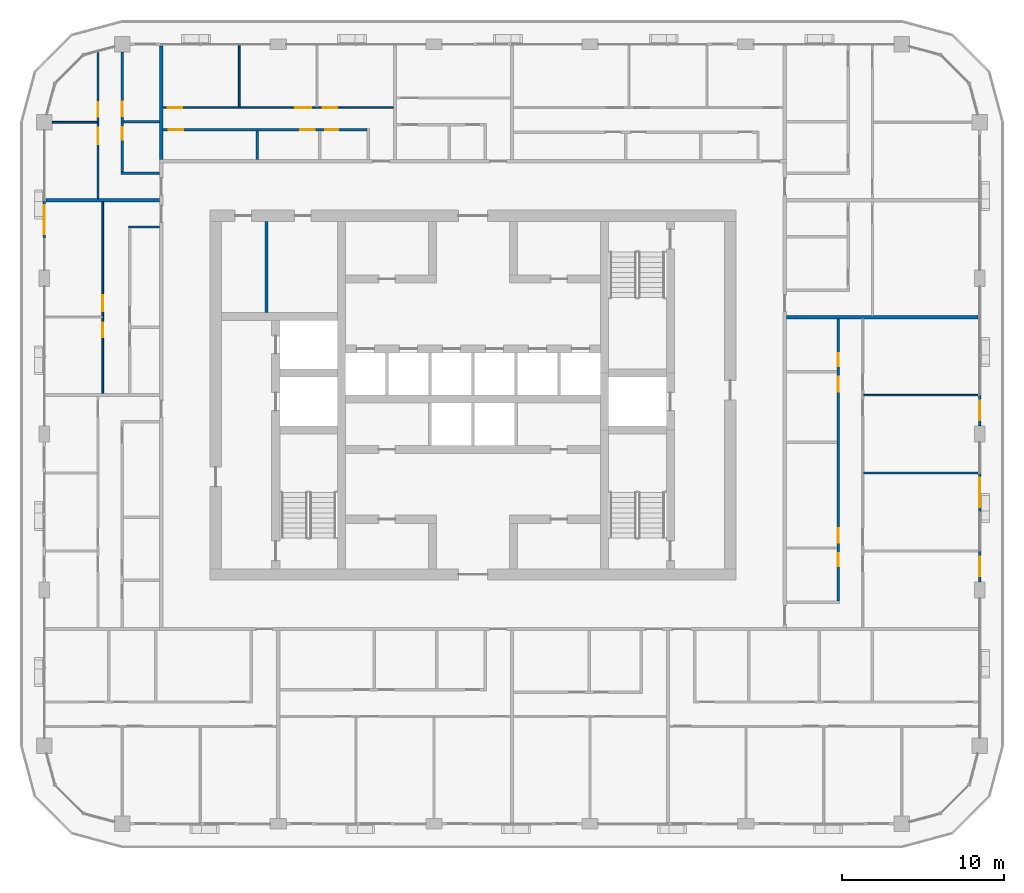
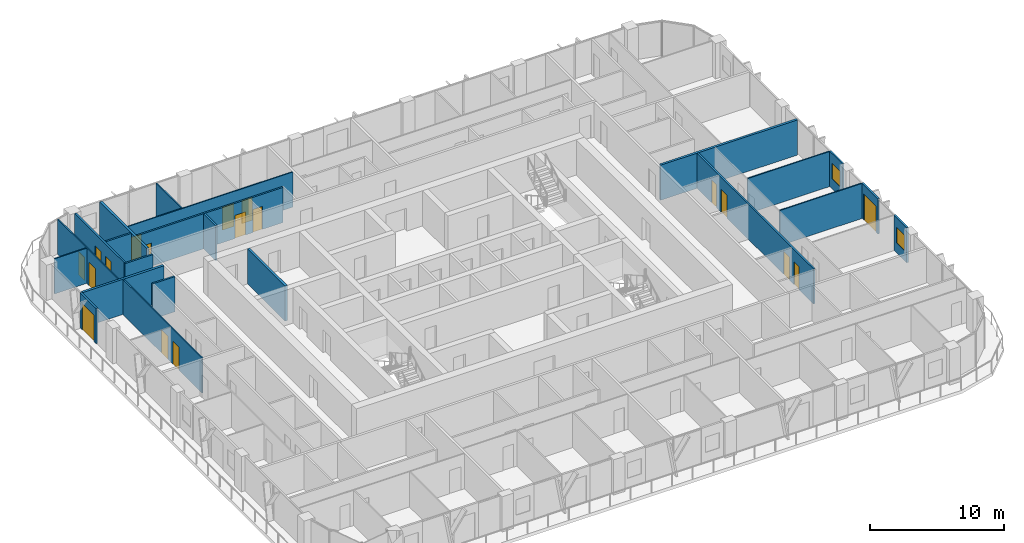
# One storey, part 13 of 21: 22 walls, 18 doors, 2 windows, 20 openings.
"""IFC4 building model written with IfcOpenShell, lengths in metres."""

from ifc_helpers import new_model, si_unit, direction, frame, frame_2d, origin, place, context, subcontext, project, spatial, rectangle, extrude, material, layer, layer_set, type_object, element, fill, save


model = new_model("IFC4")

# Units and contexts
model_context = context("Model", 3, precision=1e-05, world=origin(), true_north=direction((0.0, 1.0)))
body_context = subcontext(model_context, "Body", "Model", "MODEL_VIEW")
ifc_project = project(units=[si_unit("LENGTHUNIT", "METRE"), si_unit("AREAUNIT", "SQUARE_METRE"), si_unit("VOLUMEUNIT", "CUBIC_METRE"), si_unit("PLANEANGLEUNIT", "RADIAN"), si_unit("MASSUNIT", "GRAM", prefix="KILO")], contexts=[model_context])

# Site, building, storey
site_placement = place(None, origin())
site = spatial("IfcSite", under=ifc_project, at=site_placement, CompositionType="ELEMENT")
building_placement = place(site_placement, origin())
building = spatial("IfcBuilding", under=site, at=building_placement, Name="Madar Terraces", CompositionType="ELEMENT")
storey_placement = place(building_placement, frame((0.0, 0.0, 185.89990234375)))
storey = spatial("IfcBuildingStorey", under=building, at=storey_placement, Name="L48", CompositionType="ELEMENT", Elevation=185.89990234375)

# Wall
ifc_material_1 = material(Name="Masonry blockwork", Category="masonry")
ifc_layer_1 = layer(ifc_material_1, 0.199951171875)
ifc_layer_set_1 = layer_set([ifc_layer_1], Name="Core partition 200 blockwork")
wall_type_1 = type_object("IfcWallType", Name="Core partition 200 blockwork", PredefinedType="PARTITIONING", material=ifc_layer_set_1)
wall_1_placement = place(storey_placement, frame((18.488525390625, 31.5, 0.0), z_axis=(0.0, 0.0, 1.0), x_axis=(0.0, 1.0, 0.0)))
element("IfcWall", 1, at=wall_1_placement, inside=storey, type_object=wall_type_1, Name="SERVICE ROOM PARTITION", PredefinedType="PARTITIONING", context=body_context, shape_type="SweptSolid", body=[
    extrude(rectangle(XDim=5.60009765625, YDim=0.199951171875, at=frame_2d((2.800048828125, 0.0))), origin(), (0.0, 0.0, 1.0), 3.2001953125),
])

# Wall, opening, window
ifc_material_2 = material(Name="Aluminium composite panel, black, over insulated backing", Category="aluminium")
ifc_layer_2 = layer(ifc_material_2, 0.14990234375)
ifc_layer_set_2 = layer_set([ifc_layer_2], Name="Facade bay panel 150")
wall_type_2 = type_object("IfcWallType", Name="Facade bay panel 150", PredefinedType="SOLIDWALL", material=ifc_layer_set_2)
wall_2_placement = place(storey_placement, frame((62.39990234375, 14.89990234375, 0.0), z_axis=(0.0, 0.0, 1.0), x_axis=(0.0, 1.0, 0.0)))
wall_2 = element("IfcWall", 2, at=wall_2_placement, inside=storey, type_object=wall_type_2, Name="Facade bay panel", PredefinedType="SOLIDWALL", context=body_context, shape_type="SweptSolid", body=[
    extrude(rectangle(XDim=1.900146484375, YDim=0.14990234375, at=frame_2d((0.9501953125, 0.0))), origin(), (0.0, 0.0, 1.0), 3.2001953125),
])
opening_1_placement = place(wall_2_placement, frame((0.35009765625, 0.0, 0.89990234375)))
opening_1 = element("IfcOpeningElement", 3, at=opening_1_placement, cuts=wall_2, Name="Opening W1", PredefinedType="OPENING", context=body_context, shape_type="SweptSolid", body=[
    extrude(rectangle(XDim=1.199951171875, YDim=1.39990234375, at=frame_2d((0.60009765625, 0.699951171875))), frame((0.0, 0.0849609375, 0.0), z_axis=(0.0, -1.0, 0.0), x_axis=(1.0, 0.0, 0.0)), (0.0, 0.0, 1.0), 0.169921875),
])
ifc_material_3 = material(Name="Glass, clear, with black aluminium frame", Category="aluminium")
window_type = type_object("IfcWindowType", Name="Vent window 1200 x 1400", PartitioningType="SINGLE_PANEL", PredefinedType="WINDOW", material=ifc_material_3)
window_1_placement = place(opening_1_placement, origin())
window_1 = element("IfcWindow", 4, at=window_1_placement, inside=storey, type_object=window_type, Name="Operable vent window", OverallHeight=1.39990234375, OverallWidth=1.199951171875, PartitioningType="SINGLE_PANEL", PredefinedType="WINDOW", context=body_context, shape_type="SweptSolid", body=[
    extrude(rectangle(XDim=1.199951171875, YDim=1.39990234375, at=frame_2d((0.60009765625, 0.699951171875))), frame((0.0, 0.030029296875, 0.0), z_axis=(0.0, -1.0, 0.0), x_axis=(1.0, 0.0, 0.0)), (0.0, 0.0, 1.0), 0.06005859375),
])
fill(opening_1, window_1)

# Wall, opening, door
wall_3_placement = place(storey_placement, frame((62.39990234375, 19.199951171875, 0.0), z_axis=(0.0, 0.0, 1.0), x_axis=(0.0, 1.0, 0.0)))
wall_3 = element("IfcWall", 5, at=wall_3_placement, inside=storey, type_object=wall_type_2, Name="Facade bay panel", PredefinedType="SOLIDWALL", context=body_context, shape_type="SweptSolid", body=[
    extrude(rectangle(XDim=2.400146484375, YDim=0.14990234375, at=frame_2d((1.2001953125, 0.0))), origin(), (0.0, 0.0, 1.0), 3.2001953125),
])
opening_2_placement = place(wall_3_placement, frame((0.300048828125, 0.0, 0.0)))
opening_2 = element("IfcOpeningElement", 6, at=opening_2_placement, cuts=wall_3, Name="Opening ED1", PredefinedType="OPENING", context=body_context, shape_type="SweptSolid", body=[
    extrude(rectangle(XDim=1.800048828125, YDim=2.39990234375, at=frame_2d((0.89990234375, 1.199951171875))), frame((0.0, 0.0849609375, 0.0), z_axis=(0.0, -1.0, 0.0), x_axis=(1.0, 0.0, 0.0)), (0.0, 0.0, 1.0), 0.169921875),
])
ifc_material_4 = material(Name="Glass, clear, with black aluminium frame", Category="aluminium")
door_type_1 = type_object("IfcDoorType", Name="Balcony and terrace sliding door 1800 x 2400", OperationType="SLIDING_TO_LEFT", PredefinedType="DOOR", material=ifc_material_4)
door_1_placement = place(opening_2_placement, origin())
door_1 = element("IfcDoor", 7, at=door_1_placement, inside=storey, type_object=door_type_1, Name="Balcony door", OperationType="SLIDING_TO_RIGHT", OverallHeight=2.39990234375, OverallWidth=1.800048828125, PredefinedType="DOOR", context=body_context, shape_type="SweptSolid", body=[
    extrude(rectangle(XDim=1.800048828125, YDim=2.39990234375, at=frame_2d((0.89990234375, 1.199951171875))), frame((0.0, 0.02490234375, 0.0), z_axis=(0.0, -1.0, 0.0), x_axis=(1.0, 0.0, 0.0)), (0.0, 0.0, 1.0), 0.050048828125),
])
fill(opening_2, door_1)

# Wall, opening, window
wall_4_placement = place(storey_placement, frame((62.39990234375, 24.5, 0.0), z_axis=(0.0, 0.0, 1.0), x_axis=(0.0, 1.0, 0.0)))
wall_4 = element("IfcWall", 8, at=wall_4_placement, inside=storey, type_object=wall_type_2, Name="Facade bay panel", PredefinedType="SOLIDWALL", context=body_context, shape_type="SweptSolid", body=[
    extrude(rectangle(XDim=1.89990234375, YDim=0.14990234375, at=frame_2d((0.949951171875, 0.0))), origin(), (0.0, 0.0, 1.0), 3.2001953125),
])
opening_3_placement = place(wall_4_placement, frame((0.35009765625, 0.0, 0.89990234375)))
opening_3 = element("IfcOpeningElement", 9, at=opening_3_placement, cuts=wall_4, Name="Opening W1", PredefinedType="OPENING", context=body_context, shape_type="SweptSolid", body=[
    extrude(rectangle(XDim=1.199951171875, YDim=1.39990234375, at=frame_2d((0.60009765625, 0.699951171875))), frame((0.0, 0.0849609375, 0.0), z_axis=(0.0, -1.0, 0.0), x_axis=(1.0, 0.0, 0.0)), (0.0, 0.0, 1.0), 0.169921875),
])
window_2_placement = place(opening_3_placement, origin())
window_2 = element("IfcWindow", 10, at=window_2_placement, inside=storey, type_object=window_type, Name="Operable vent window", OverallHeight=1.39990234375, OverallWidth=1.199951171875, PartitioningType="SINGLE_PANEL", PredefinedType="WINDOW", context=body_context, shape_type="SweptSolid", body=[
    extrude(rectangle(XDim=1.199951171875, YDim=1.39990234375, at=frame_2d((0.60009765625, 0.699951171875))), frame((0.0, 0.030029296875, 0.0), z_axis=(0.0, -1.0, 0.0), x_axis=(1.0, 0.0, 0.0)), (0.0, 0.0, 1.0), 0.06005859375),
])
fill(opening_3, window_2)

# Wall, opening, door
wall_5_placement = place(storey_placement, frame((4.800048828125, 38.39990234375, 0.0), z_axis=(0.0, 0.0, 1.0), x_axis=(0.0, -1.0, 0.0)))
wall_5 = element("IfcWall", 11, at=wall_5_placement, inside=storey, type_object=wall_type_2, Name="Facade bay panel", PredefinedType="SOLIDWALL", context=body_context, shape_type="SweptSolid", body=[
    extrude(rectangle(XDim=2.39990234375, YDim=0.14990234375, at=frame_2d((1.199951171875, 0.0))), origin(), (0.0, 0.0, 1.0), 3.2001953125),
])
opening_4_placement = place(wall_5_placement, frame((0.300048828125, 0.0, 0.0)))
opening_4 = element("IfcOpeningElement", 12, at=opening_4_placement, cuts=wall_5, Name="Opening ED1", PredefinedType="OPENING", context=body_context, shape_type="SweptSolid", body=[
    extrude(rectangle(XDim=1.800048828125, YDim=2.39990234375, at=frame_2d((0.89990234375, 1.199951171875))), frame((0.0, 0.0849609375, 0.0), z_axis=(0.0, -1.0, 0.0), x_axis=(1.0, 0.0, 0.0)), (0.0, 0.0, 1.0), 0.169921875),
])
door_2_placement = place(opening_4_placement, origin())
door_2 = element("IfcDoor", 13, at=door_2_placement, inside=storey, type_object=door_type_1, Name="Balcony door", OperationType="SLIDING_TO_RIGHT", OverallHeight=2.39990234375, OverallWidth=1.800048828125, PredefinedType="DOOR", context=body_context, shape_type="SweptSolid", body=[
    extrude(rectangle(XDim=1.800048828125, YDim=2.39990234375, at=frame_2d((0.89990234375, 1.199951171875))), frame((0.0, 0.02490234375, 0.0), z_axis=(0.0, -1.0, 0.0), x_axis=(1.0, 0.0, 0.0)), (0.0, 0.0, 1.0), 0.050048828125),
])
fill(opening_4, door_2)

# Walls
ifc_material_5 = material(Name="Gypsum board on steel studs", Category="steel")
ifc_layer_3 = layer(ifc_material_5, 0.10009765625)
ifc_layer_set_3 = layer_set([ifc_layer_3], Name="Flat partition 100")
wall_type_3 = type_object("IfcWallType", Name="Flat partition 100", PredefinedType="PARTITIONING", material=ifc_layer_set_3)
for number, where, z_axis, x_axis, name in (
    (14, (55.25, 21.60009765625, 0.0), (0.0, 0.0, 1.0), (1.0, 0.0, 0.0), "Flat partition 100"),
    (15, (55.25, 26.39990234375, 0.0), (0.0, 0.0, 1.0), (1.0, 0.0, 0.0), "Flat partition 100"),
):
    element("IfcWall", number, at=place(storey_placement, frame(where, z_axis=z_axis, x_axis=x_axis)), inside=storey, type_object=wall_type_3, Name=name, PredefinedType="PARTITIONING", context=body_context, shape_type="SweptSolid", body=[
        extrude(rectangle(XDim=7.050048828125, YDim=0.10009765625, at=frame_2d((3.52490234375, 0.0))), origin(), (0.0, 0.0, 1.0), 3.2001953125),
    ])
wall_6_placement = place(storey_placement, frame((16.800048828125, 44.14990234375, 0.0), z_axis=(0.0, 0.0, 1.0), x_axis=(0.0, 1.0, 0.0)))
element("IfcWall", 16, at=wall_6_placement, inside=storey, type_object=wall_type_3, Name="Flat partition 100", PredefinedType="PARTITIONING", context=body_context, shape_type="SweptSolid", body=[
    extrude(rectangle(XDim=3.75, YDim=0.10009765625, at=frame_2d((1.875, 0.0))), origin(), (0.0, 0.0, 1.0), 3.2001953125),
])

# Wall, openings, doors
wall_7_placement = place(storey_placement, frame((12.10009765625, 44.10009765625, 0.0), z_axis=(0.0, 0.0, 1.0), x_axis=(1.0, 0.0, 0.0)))
wall_7 = element("IfcWall", 17, at=wall_7_placement, inside=storey, type_object=wall_type_3, Name="Flat partition 100", PredefinedType="PARTITIONING", context=body_context, shape_type="SweptSolid", body=[
    extrude(rectangle(XDim=14.199951171875, YDim=0.10009765625, at=frame_2d((7.10009765625, 0.0))), origin(), (0.0, 0.0, 1.0), 3.2001953125),
])
opening_5_placement = place(wall_7_placement, frame((9.85009765625, 0.0, 0.0)))
opening_5 = element("IfcOpeningElement", 18, at=opening_5_placement, cuts=wall_7, Name="Opening D2", PredefinedType="OPENING", context=body_context, shape_type="SweptSolid", body=[
    extrude(rectangle(XDim=0.89990234375, YDim=2.10009765625, at=frame_2d((0.449951171875, 1.050048828125))), frame((0.0, 0.06005859375, 0.0), z_axis=(0.0, -1.0, 0.0), x_axis=(1.0, 0.0, 0.0)), (0.0, 0.0, 1.0), 0.1201171875),
])
opening_6_placement = place(wall_7_placement, frame((8.14990234375, 0.0, 0.0)))
opening_6 = element("IfcOpeningElement", 19, at=opening_6_placement, cuts=wall_7, Name="Opening D3", PredefinedType="OPENING", context=body_context, shape_type="SweptSolid", body=[
    extrude(rectangle(XDim=1.0, YDim=2.10009765625, at=frame_2d((0.5, 1.050048828125))), frame((0.0, 0.06005859375, 0.0), z_axis=(0.0, -1.0, 0.0), x_axis=(1.0, 0.0, 0.0)), (0.0, 0.0, 1.0), 0.1201171875),
])
opening_7_placement = place(wall_7_placement, frame((0.300048828125, 0.0, 0.0)))
opening_7 = element("IfcOpeningElement", 20, at=opening_7_placement, cuts=wall_7, Name="Opening D2", PredefinedType="OPENING", context=body_context, shape_type="SweptSolid", body=[
    extrude(rectangle(XDim=0.89990234375, YDim=2.10009765625, at=frame_2d((0.449951171875, 1.050048828125))), frame((0.0, 0.06005859375, 0.0), z_axis=(0.0, -1.0, 0.0), x_axis=(1.0, 0.0, 0.0)), (0.0, 0.0, 1.0), 0.1201171875),
])
ifc_material_6 = material(Name="Timber door leaf", Category="wood")
door_type_2 = type_object("IfcDoorType", Name="Flat living room door 1000", OperationType="NOTDEFINED", PredefinedType="DOOR", material=ifc_material_6)
door_3_placement = place(opening_6_placement, origin())
door_3 = element("IfcDoor", 21, at=door_3_placement, inside=storey, type_object=door_type_2, Name="Flat living room door 1000", OperationType="SINGLE_SWING_RIGHT", OverallHeight=2.10009765625, OverallWidth=1.0, PredefinedType="DOOR", context=body_context, shape_type="SweptSolid", body=[
    extrude(rectangle(XDim=1.0, YDim=2.10009765625, at=frame_2d((0.5, 1.050048828125))), frame((0.0, 0.02490234375, 0.0), z_axis=(0.0, -1.0, 0.0), x_axis=(1.0, 0.0, 0.0)), (0.0, 0.0, 1.0), 0.050048828125),
])
fill(opening_6, door_3)
ifc_material_7 = material(Name="Timber door leaf", Category="wood")
door_type_3 = type_object("IfcDoorType", Name="Flat room door 900", OperationType="NOTDEFINED", PredefinedType="DOOR", material=ifc_material_7)
door_4_placement = place(opening_5_placement, origin())
door_4 = element("IfcDoor", 22, at=door_4_placement, inside=storey, type_object=door_type_3, Name="Flat room door 900", OperationType="SINGLE_SWING_LEFT", OverallHeight=2.10009765625, OverallWidth=0.89990234375, PredefinedType="DOOR", context=body_context, shape_type="SweptSolid", body=[
    extrude(rectangle(XDim=0.89990234375, YDim=2.10009765625, at=frame_2d((0.449951171875, 1.050048828125))), frame((0.0, 0.02490234375, 0.0), z_axis=(0.0, -1.0, 0.0), x_axis=(1.0, 0.0, 0.0)), (0.0, 0.0, 1.0), 0.050048828125),
])
fill(opening_5, door_4)
door_5_placement = place(opening_7_placement, origin())
door_5 = element("IfcDoor", 23, at=door_5_placement, inside=storey, type_object=door_type_3, Name="Flat room door 900", OperationType="SINGLE_SWING_LEFT", OverallHeight=2.10009765625, OverallWidth=0.89990234375, PredefinedType="DOOR", context=body_context, shape_type="SweptSolid", body=[
    extrude(rectangle(XDim=0.89990234375, YDim=2.10009765625, at=frame_2d((0.449951171875, 1.050048828125))), frame((0.0, 0.02490234375, 0.0), z_axis=(0.0, -1.0, 0.0), x_axis=(1.0, 0.0, 0.0)), (0.0, 0.0, 1.0), 0.050048828125),
])
fill(opening_7, door_5)

# Wall
wall_8_placement = place(storey_placement, frame((8.050048828125, 43.199951171875, 0.0), z_axis=(0.0, 0.0, 1.0), x_axis=(-1.0, 0.0, 0.0)))
element("IfcWall", 24, at=wall_8_placement, inside=storey, type_object=wall_type_3, Name="Flat partition 100", PredefinedType="PARTITIONING", context=body_context, shape_type="SweptSolid", body=[
    extrude(rectangle(XDim=2.775146484375, YDim=0.10009765625, at=frame_2d((1.3876953125, 0.0))), origin(), (0.0, 0.0, 1.0), 3.2001953125),
])

# Wall, openings, doors
wall_9_placement = place(storey_placement, frame((8.10009765625, 38.5, 0.0), z_axis=(0.0, 0.0, 1.0), x_axis=(0.0, 1.0, 0.0)))
wall_9 = element("IfcWall", 25, at=wall_9_placement, inside=storey, type_object=wall_type_3, Name="Flat partition 100", PredefinedType="PARTITIONING", context=body_context, shape_type="SweptSolid", body=[
    extrude(rectangle(XDim=8.998046875, YDim=0.10009765625, at=frame_2d((4.4990234375, 0.0))), origin(), (0.0, 0.0, 1.0), 3.2001953125),
])
opening_8_placement = place(wall_9_placement, frame((3.35009765625, 0.0, 0.0)))
opening_8 = element("IfcOpeningElement", 26, at=opening_8_placement, cuts=wall_9, Name="Opening D3", PredefinedType="OPENING", context=body_context, shape_type="SweptSolid", body=[
    extrude(rectangle(XDim=1.0, YDim=2.10009765625, at=frame_2d((0.5, 1.050048828125))), frame((0.0, 0.06005859375, 0.0), z_axis=(0.0, -1.0, 0.0), x_axis=(1.0, 0.0, 0.0)), (0.0, 0.0, 1.0), 0.1201171875),
])
opening_9_placement = place(wall_9_placement, frame((5.050048828125, 0.0, 0.0)))
opening_9 = element("IfcOpeningElement", 27, at=opening_9_placement, cuts=wall_9, Name="Opening D2", PredefinedType="OPENING", context=body_context, shape_type="SweptSolid", body=[
    extrude(rectangle(XDim=0.89990234375, YDim=2.10009765625, at=frame_2d((0.449951171875, 1.050048828125))), frame((0.0, 0.06005859375, 0.0), z_axis=(0.0, -1.0, 0.0), x_axis=(1.0, 0.0, 0.0)), (0.0, 0.0, 1.0), 0.1201171875),
])
door_6_placement = place(opening_8_placement, origin())
door_6 = element("IfcDoor", 28, at=door_6_placement, inside=storey, type_object=door_type_2, Name="Flat living room door 1000", OperationType="SINGLE_SWING_RIGHT", OverallHeight=2.10009765625, OverallWidth=1.0, PredefinedType="DOOR", context=body_context, shape_type="SweptSolid", body=[
    extrude(rectangle(XDim=1.0, YDim=2.10009765625, at=frame_2d((0.5, 1.050048828125))), frame((0.0, 0.02490234375, 0.0), z_axis=(0.0, -1.0, 0.0), x_axis=(1.0, 0.0, 0.0)), (0.0, 0.0, 1.0), 0.050048828125),
])
fill(opening_8, door_6)
door_7_placement = place(opening_9_placement, origin())
door_7 = element("IfcDoor", 29, at=door_7_placement, inside=storey, type_object=door_type_3, Name="Flat room door 900", OperationType="SINGLE_SWING_LEFT", OverallHeight=2.10009765625, OverallWidth=0.89990234375, PredefinedType="DOOR", context=body_context, shape_type="SweptSolid", body=[
    extrude(rectangle(XDim=0.89990234375, YDim=2.10009765625, at=frame_2d((0.449951171875, 1.050048828125))), frame((0.0, 0.02490234375, 0.0), z_axis=(0.0, -1.0, 0.0), x_axis=(1.0, 0.0, 0.0)), (0.0, 0.0, 1.0), 0.050048828125),
])
fill(opening_9, door_7)

wall_10_placement = place(storey_placement, frame((8.39990234375, 26.5, 0.0), z_axis=(0.0, 0.0, 1.0), x_axis=(0.0, 1.0, 0.0)))
wall_10 = element("IfcWall", 30, at=wall_10_placement, inside=storey, type_object=wall_type_3, Name="Flat partition 100", PredefinedType="PARTITIONING", context=body_context, shape_type="SweptSolid", body=[
    extrude(rectangle(XDim=11.800048828125, YDim=0.10009765625, at=frame_2d((5.89990234375, 0.0))), origin(), (0.0, 0.0, 1.0), 3.2001953125),
])
opening_10_placement = place(wall_10_placement, frame((5.050048828125, 0.0, 0.0)))
opening_10 = element("IfcOpeningElement", 31, at=opening_10_placement, cuts=wall_10, Name="Opening D3", PredefinedType="OPENING", context=body_context, shape_type="SweptSolid", body=[
    extrude(rectangle(XDim=1.0, YDim=2.10009765625, at=frame_2d((0.5, 1.050048828125))), frame((0.0, 0.06005859375, 0.0), z_axis=(0.0, -1.0, 0.0), x_axis=(1.0, 0.0, 0.0)), (0.0, 0.0, 1.0), 0.1201171875),
])
opening_11_placement = place(wall_10_placement, frame((3.449951171875, 0.0, 0.0)))
opening_11 = element("IfcOpeningElement", 32, at=opening_11_placement, cuts=wall_10, Name="Opening D2", PredefinedType="OPENING", context=body_context, shape_type="SweptSolid", body=[
    extrude(rectangle(XDim=0.89990234375, YDim=2.10009765625, at=frame_2d((0.449951171875, 1.050048828125))), frame((0.0, 0.06005859375, 0.0), z_axis=(0.0, -1.0, 0.0), x_axis=(1.0, 0.0, 0.0)), (0.0, 0.0, 1.0), 0.1201171875),
])
door_8_placement = place(opening_10_placement, origin())
door_8 = element("IfcDoor", 33, at=door_8_placement, inside=storey, type_object=door_type_2, Name="Flat living room door 1000", OperationType="SINGLE_SWING_LEFT", OverallHeight=2.10009765625, OverallWidth=1.0, PredefinedType="DOOR", context=body_context, shape_type="SweptSolid", body=[
    extrude(rectangle(XDim=1.0, YDim=2.10009765625, at=frame_2d((0.5, 1.050048828125))), frame((0.0, 0.02490234375, 0.0), z_axis=(0.0, -1.0, 0.0), x_axis=(1.0, 0.0, 0.0)), (0.0, 0.0, 1.0), 0.050048828125),
])
fill(opening_10, door_8)
door_9_placement = place(opening_11_placement, origin())
door_9 = element("IfcDoor", 34, at=door_9_placement, inside=storey, type_object=door_type_3, Name="Flat room door 900", OperationType="SINGLE_SWING_RIGHT", OverallHeight=2.10009765625, OverallWidth=0.89990234375, PredefinedType="DOOR", context=body_context, shape_type="SweptSolid", body=[
    extrude(rectangle(XDim=0.89990234375, YDim=2.10009765625, at=frame_2d((0.449951171875, 1.050048828125))), frame((0.0, 0.02490234375, 0.0), z_axis=(0.0, -1.0, 0.0), x_axis=(1.0, 0.0, 0.0)), (0.0, 0.0, 1.0), 0.050048828125),
])
fill(opening_11, door_9)

# Walls
ifc_material_8 = material(Name="Lightweight blockwork", Category="masonry")
ifc_layer_4 = layer(ifc_material_8, 0.199951171875)
ifc_layer_set_4 = layer_set([ifc_layer_4], Name="Flat party and entrance wall 200")
wall_type_4 = type_object("IfcWallType", Name="Flat party and entrance wall 200", PredefinedType="PARTITIONING", material=ifc_layer_set_4)
wall_11_placement = place(storey_placement, frame((50.5, 31.199951171875, 0.0), z_axis=(0.0, 0.0, 1.0), x_axis=(1.0, 0.0, 0.0)))
element("IfcWall", 35, at=wall_11_placement, inside=storey, type_object=wall_type_4, Name="Flat party and entrance wall 200", PredefinedType="PARTITIONING", context=body_context, shape_type="SweptSolid", body=[
    extrude(rectangle(XDim=11.800048828125, YDim=0.199951171875, at=frame_2d((5.89990234375, 0.0))), origin(), (0.0, 0.0, 1.0), 3.2001953125),
])
for number, where, z_axis, x_axis, name in (
    (36, (12.0, 47.89990234375, 0.0), (0.0, 0.0, 1.0), (0.0, -1.0, 0.0), "Flat party and entrance wall 200"),
    (37, (4.89990234375, 38.39990234375, 0.0), (0.0, 0.0, 1.0), (1.0, 0.0, 0.0), "Flat party and entrance wall 200"),
):
    element("IfcWall", number, at=place(storey_placement, frame(where, z_axis=z_axis, x_axis=x_axis)), inside=storey, type_object=wall_type_4, Name=name, PredefinedType="PARTITIONING", context=body_context, shape_type="SweptSolid", body=[
        extrude(rectangle(XDim=7.0, YDim=0.199951171875, at=frame_2d((3.5, 0.0))), origin(), (0.0, 0.0, 1.0), 3.2001953125),
    ])

# Wall, openings, doors
ifc_material_9 = material(Name="Lightweight blockwork", Category="masonry")
ifc_layer_5 = layer(ifc_material_9, 0.14990234375)
ifc_layer_set_5 = layer_set([ifc_layer_5], Name="Flat wet-room partition 150")
wall_type_5 = type_object("IfcWallType", Name="Flat wet-room partition 150", PredefinedType="PARTITIONING", material=ifc_layer_set_5)
wall_12_placement = place(storey_placement, frame((53.699951171875, 13.72509765625, 0.0), z_axis=(0.0, 0.0, 1.0), x_axis=(0.0, 1.0, 0.0)))
wall_12 = element("IfcWall", 38, at=wall_12_placement, inside=storey, type_object=wall_type_5, Name="Flat wet-room partition 150", PredefinedType="PARTITIONING", context=body_context, shape_type="SweptSolid", body=[
    extrude(rectangle(XDim=17.375, YDim=0.14990234375, at=frame_2d((8.6875, 0.0))), origin(), (0.0, 0.0, 1.0), 3.2001953125),
])
opening_12_placement = place(wall_12_placement, frame((2.1328125, 0.0, 0.0)))
opening_12 = element("IfcOpeningElement", 39, at=opening_12_placement, cuts=wall_12, Name="Opening D7", PredefinedType="OPENING", context=body_context, shape_type="SweptSolid", body=[
    extrude(rectangle(XDim=0.800048828125, YDim=2.10009765625, at=frame_2d((0.39990234375, 1.050048828125))), frame((0.0, 0.0849609375, 0.0), z_axis=(0.0, -1.0, 0.0), x_axis=(1.0, 0.0, 0.0)), (0.0, 0.0, 1.0), 0.169921875),
])
opening_13_placement = place(wall_12_placement, frame((3.582763671875, 0.0, 0.0)))
opening_13 = element("IfcOpeningElement", 40, at=opening_13_placement, cuts=wall_12, Name="Opening D2", PredefinedType="OPENING", context=body_context, shape_type="SweptSolid", body=[
    extrude(rectangle(XDim=0.89990234375, YDim=2.10009765625, at=frame_2d((0.449951171875, 1.050048828125))), frame((0.0, 0.0849609375, 0.0), z_axis=(0.0, -1.0, 0.0), x_axis=(1.0, 0.0, 0.0)), (0.0, 0.0, 1.0), 0.169921875),
])
opening_14_placement = place(wall_12_placement, frame((12.89208984375, 0.0, 0.0)))
opening_14 = element("IfcOpeningElement", 41, at=opening_14_placement, cuts=wall_12, Name="Opening D5", PredefinedType="OPENING", context=body_context, shape_type="SweptSolid", body=[
    extrude(rectangle(XDim=0.89990234375, YDim=2.10009765625, at=frame_2d((0.449951171875, 1.050048828125))), frame((0.0, 0.0849609375, 0.0), z_axis=(0.0, -1.0, 0.0), x_axis=(1.0, 0.0, 0.0)), (0.0, 0.0, 1.0), 0.169921875),
])
opening_15_placement = place(wall_12_placement, frame((14.442138671875, 0.0, 0.0)))
opening_15 = element("IfcOpeningElement", 42, at=opening_15_placement, cuts=wall_12, Name="Opening D4", PredefinedType="OPENING", context=body_context, shape_type="SweptSolid", body=[
    extrude(rectangle(XDim=0.800048828125, YDim=2.10009765625, at=frame_2d((0.39990234375, 1.050048828125))), frame((0.0, 0.0849609375, 0.0), z_axis=(0.0, -1.0, 0.0), x_axis=(1.0, 0.0, 0.0)), (0.0, 0.0, 1.0), 0.169921875),
])
ifc_material_10 = material(Name="Timber door leaf", Category="wood")
door_type_4 = type_object("IfcDoorType", Name="Flat accessible bathroom door 900", OperationType="NOTDEFINED", PredefinedType="DOOR", material=ifc_material_10)
door_10_placement = place(opening_14_placement, origin())
door_10 = element("IfcDoor", 43, at=door_10_placement, inside=storey, type_object=door_type_4, Name="Flat accessible bathroom door 900", OperationType="SINGLE_SWING_RIGHT", OverallHeight=2.10009765625, OverallWidth=0.89990234375, PredefinedType="DOOR", context=body_context, shape_type="SweptSolid", body=[
    extrude(rectangle(XDim=0.89990234375, YDim=2.10009765625, at=frame_2d((0.449951171875, 1.050048828125))), frame((0.0, 0.02490234375, 0.0), z_axis=(0.0, -1.0, 0.0), x_axis=(1.0, 0.0, 0.0)), (0.0, 0.0, 1.0), 0.050048828125),
])
fill(opening_14, door_10)
ifc_material_11 = material(Name="Timber door leaf", Category="wood")
door_type_5 = type_object("IfcDoorType", Name="Flat bathroom door 800", OperationType="NOTDEFINED", PredefinedType="DOOR", material=ifc_material_11)
door_11_placement = place(opening_15_placement, origin())
door_11 = element("IfcDoor", 44, at=door_11_placement, inside=storey, type_object=door_type_5, Name="Flat bathroom door 800", OperationType="SINGLE_SWING_LEFT", OverallHeight=2.10009765625, OverallWidth=0.800048828125, PredefinedType="DOOR", context=body_context, shape_type="SweptSolid", body=[
    extrude(rectangle(XDim=0.800048828125, YDim=2.10009765625, at=frame_2d((0.39990234375, 1.050048828125))), frame((0.0, 0.02490234375, 0.0), z_axis=(0.0, -1.0, 0.0), x_axis=(1.0, 0.0, 0.0)), (0.0, 0.0, 1.0), 0.050048828125),
])
fill(opening_15, door_11)
door_12_placement = place(opening_13_placement, origin())
door_12 = element("IfcDoor", 45, at=door_12_placement, inside=storey, type_object=door_type_3, Name="Flat room door 900", OperationType="SINGLE_SWING_LEFT", OverallHeight=2.10009765625, OverallWidth=0.89990234375, PredefinedType="DOOR", context=body_context, shape_type="SweptSolid", body=[
    extrude(rectangle(XDim=0.89990234375, YDim=2.10009765625, at=frame_2d((0.449951171875, 1.050048828125))), frame((0.0, 0.02490234375, 0.0), z_axis=(0.0, -1.0, 0.0), x_axis=(1.0, 0.0, 0.0)), (0.0, 0.0, 1.0), 0.050048828125),
])
fill(opening_13, door_12)
ifc_material_12 = material(Name="Timber door leaf", Category="wood")
door_type_6 = type_object("IfcDoorType", Name="Flat utility door 800", OperationType="NOTDEFINED", PredefinedType="DOOR", material=ifc_material_12)
door_13_placement = place(opening_12_placement, origin())
door_13 = element("IfcDoor", 46, at=door_13_placement, inside=storey, type_object=door_type_6, Name="Flat utility door 800", OperationType="SINGLE_SWING_RIGHT", OverallHeight=2.10009765625, OverallWidth=0.800048828125, PredefinedType="DOOR", context=body_context, shape_type="SweptSolid", body=[
    extrude(rectangle(XDim=0.800048828125, YDim=2.10009765625, at=frame_2d((0.39990234375, 1.050048828125))), frame((0.0, 0.02490234375, 0.0), z_axis=(0.0, -1.0, 0.0), x_axis=(1.0, 0.0, 0.0)), (0.0, 0.0, 1.0), 0.050048828125),
])
fill(opening_12, door_13)

# Wall
wall_13_placement = place(storey_placement, frame((17.90380859375, 40.89990234375, 0.0), z_axis=(0.0, 0.0, 1.0), x_axis=(0.0, 1.0, 0.0)))
element("IfcWall", 47, at=wall_13_placement, inside=storey, type_object=wall_type_5, Name="Flat wet-room partition 150", PredefinedType="PARTITIONING", context=body_context, shape_type="SweptSolid", body=[
    extrude(rectangle(XDim=1.775146484375, YDim=0.14990234375, at=frame_2d((0.8876953125, 0.0))), origin(), (0.0, 0.0, 1.0), 3.2001953125),
])

# Wall, openings, doors
wall_14_placement = place(storey_placement, frame((24.675048828125, 42.75, 0.0), z_axis=(0.0, 0.0, 1.0), x_axis=(-1.0, 0.0, 0.0)))
wall_14 = element("IfcWall", 48, at=wall_14_placement, inside=storey, type_object=wall_type_5, Name="Flat wet-room partition 150", PredefinedType="PARTITIONING", context=body_context, shape_type="SweptSolid", body=[
    extrude(rectangle(XDim=12.574951171875, YDim=0.14990234375, at=frame_2d((6.28759765625, 0.0))), origin(), (0.0, 0.0, 1.0), 3.2001953125),
])
opening_16_placement = place(wall_14_placement, frame((1.77685546875, 0.0, 0.0)))
opening_16 = element("IfcOpeningElement", 49, at=opening_16_placement, cuts=wall_14, Name="Opening D4", PredefinedType="OPENING", context=body_context, shape_type="SweptSolid", body=[
    extrude(rectangle(XDim=0.800048828125, YDim=2.10009765625, at=frame_2d((0.39990234375, 1.050048828125))), frame((0.0, 0.0849609375, 0.0), z_axis=(0.0, -1.0, 0.0), x_axis=(1.0, 0.0, 0.0)), (0.0, 0.0, 1.0), 0.169921875),
])
opening_17_placement = place(wall_14_placement, frame((3.226806640625, 0.0, 0.0)))
opening_17 = element("IfcOpeningElement", 50, at=opening_17_placement, cuts=wall_14, Name="Opening D5", PredefinedType="OPENING", context=body_context, shape_type="SweptSolid", body=[
    extrude(rectangle(XDim=0.89990234375, YDim=2.10009765625, at=frame_2d((0.449951171875, 1.050048828125))), frame((0.0, 0.0849609375, 0.0), z_axis=(0.0, -1.0, 0.0), x_axis=(1.0, 0.0, 0.0)), (0.0, 0.0, 1.0), 0.169921875),
])
opening_18_placement = place(wall_14_placement, frame((11.324951171875, 0.0, 0.0)))
opening_18 = element("IfcOpeningElement", 51, at=opening_18_placement, cuts=wall_14, Name="Opening D2", PredefinedType="OPENING", context=body_context, shape_type="SweptSolid", body=[
    extrude(rectangle(XDim=0.89990234375, YDim=2.10009765625, at=frame_2d((0.449951171875, 1.050048828125))), frame((0.0, 0.0849609375, 0.0), z_axis=(0.0, -1.0, 0.0), x_axis=(1.0, 0.0, 0.0)), (0.0, 0.0, 1.0), 0.169921875),
])
door_14_placement = place(opening_17_placement, origin())
door_14 = element("IfcDoor", 52, at=door_14_placement, inside=storey, type_object=door_type_4, Name="Flat accessible bathroom door 900", OperationType="SINGLE_SWING_LEFT", OverallHeight=2.10009765625, OverallWidth=0.89990234375, PredefinedType="DOOR", context=body_context, shape_type="SweptSolid", body=[
    extrude(rectangle(XDim=0.89990234375, YDim=2.10009765625, at=frame_2d((0.449951171875, 1.050048828125))), frame((0.0, 0.02490234375, 0.0), z_axis=(0.0, -1.0, 0.0), x_axis=(1.0, 0.0, 0.0)), (0.0, 0.0, 1.0), 0.050048828125),
])
fill(opening_17, door_14)
door_15_placement = place(opening_16_placement, origin())
door_15 = element("IfcDoor", 53, at=door_15_placement, inside=storey, type_object=door_type_5, Name="Flat bathroom door 800", OperationType="SINGLE_SWING_RIGHT", OverallHeight=2.10009765625, OverallWidth=0.800048828125, PredefinedType="DOOR", context=body_context, shape_type="SweptSolid", body=[
    extrude(rectangle(XDim=0.800048828125, YDim=2.10009765625, at=frame_2d((0.39990234375, 1.050048828125))), frame((0.0, 0.02490234375, 0.0), z_axis=(0.0, -1.0, 0.0), x_axis=(1.0, 0.0, 0.0)), (0.0, 0.0, 1.0), 0.050048828125),
])
fill(opening_16, door_15)
door_16_placement = place(opening_18_placement, origin())
door_16 = element("IfcDoor", 54, at=door_16_placement, inside=storey, type_object=door_type_3, Name="Flat room door 900", OperationType="SINGLE_SWING_RIGHT", OverallHeight=2.10009765625, OverallWidth=0.89990234375, PredefinedType="DOOR", context=body_context, shape_type="SweptSolid", body=[
    extrude(rectangle(XDim=0.89990234375, YDim=2.10009765625, at=frame_2d((0.449951171875, 1.050048828125))), frame((0.0, 0.02490234375, 0.0), z_axis=(0.0, -1.0, 0.0), x_axis=(1.0, 0.0, 0.0)), (0.0, 0.0, 1.0), 0.050048828125),
])
fill(opening_18, door_16)

# Walls
wall_15_placement = place(storey_placement, frame((11.89990234375, 43.235107421875, 0.0), z_axis=(0.0, 0.0, 1.0), x_axis=(-1.0, 0.0, 0.0)))
element("IfcWall", 55, at=wall_15_placement, inside=storey, type_object=wall_type_5, Name="Flat wet-room partition 150", PredefinedType="PARTITIONING", context=body_context, shape_type="SweptSolid", body=[
    extrude(rectangle(XDim=2.224853515625, YDim=0.14990234375, at=frame_2d((1.1123046875, 0.0))), origin(), (0.0, 0.0, 1.0), 3.2001953125),
])
wall_16_placement = place(storey_placement, frame((11.89990234375, 40.050048828125, 0.0), z_axis=(0.0, 0.0, 1.0), x_axis=(-1.0, 0.0, 0.0)))
element("IfcWall", 56, at=wall_16_placement, inside=storey, type_object=wall_type_5, Name="Flat wet-room partition 150", PredefinedType="PARTITIONING", context=body_context, shape_type="SweptSolid", body=[
    extrude(rectangle(XDim=2.375, YDim=0.14990234375, at=frame_2d((1.1875, 0.0))), origin(), (0.0, 0.0, 1.0), 3.2001953125),
])

# Wall, openings, doors
wall_17_placement = place(storey_placement, frame((9.60009765625, 47.52490234375, 0.0), z_axis=(0.0, 0.0, 1.0), x_axis=(0.0, -1.0, 0.0)))
wall_17 = element("IfcWall", 57, at=wall_17_placement, inside=storey, type_object=wall_type_5, Name="Flat wet-room partition 150", PredefinedType="PARTITIONING", context=body_context, shape_type="SweptSolid", body=[
    extrude(rectangle(XDim=7.39990234375, YDim=0.14990234375, at=frame_2d((3.699951171875, 0.0))), origin(), (0.0, 0.0, 1.0), 3.2001953125),
])
opening_19_placement = place(wall_17_placement, frame((4.614990234375, 0.0, 0.0)))
opening_19 = element("IfcOpeningElement", 58, at=opening_19_placement, cuts=wall_17, Name="Opening D4", PredefinedType="OPENING", context=body_context, shape_type="SweptSolid", body=[
    extrude(rectangle(XDim=0.800048828125, YDim=2.10009765625, at=frame_2d((0.39990234375, 1.050048828125))), frame((0.0, 0.0849609375, 0.0), z_axis=(0.0, -1.0, 0.0), x_axis=(1.0, 0.0, 0.0)), (0.0, 0.0, 1.0), 0.169921875),
])
opening_20_placement = place(wall_17_placement, frame((3.06494140625, 0.0, 0.0)))
opening_20 = element("IfcOpeningElement", 59, at=opening_20_placement, cuts=wall_17, Name="Opening D2", PredefinedType="OPENING", context=body_context, shape_type="SweptSolid", body=[
    extrude(rectangle(XDim=0.89990234375, YDim=2.10009765625, at=frame_2d((0.449951171875, 1.050048828125))), frame((0.0, 0.0849609375, 0.0), z_axis=(0.0, -1.0, 0.0), x_axis=(1.0, 0.0, 0.0)), (0.0, 0.0, 1.0), 0.169921875),
])
door_17_placement = place(opening_19_placement, origin())
door_17 = element("IfcDoor", 60, at=door_17_placement, inside=storey, type_object=door_type_5, Name="Flat bathroom door 800", OperationType="SINGLE_SWING_LEFT", OverallHeight=2.10009765625, OverallWidth=0.800048828125, PredefinedType="DOOR", context=body_context, shape_type="SweptSolid", body=[
    extrude(rectangle(XDim=0.800048828125, YDim=2.10009765625, at=frame_2d((0.39990234375, 1.050048828125))), frame((0.0, 0.02490234375, 0.0), z_axis=(0.0, -1.0, 0.0), x_axis=(1.0, 0.0, 0.0)), (0.0, 0.0, 1.0), 0.050048828125),
])
fill(opening_19, door_17)
door_18_placement = place(opening_20_placement, origin())
door_18 = element("IfcDoor", 61, at=door_18_placement, inside=storey, type_object=door_type_3, Name="Flat room door 900", OperationType="SINGLE_SWING_RIGHT", OverallHeight=2.10009765625, OverallWidth=0.89990234375, PredefinedType="DOOR", context=body_context, shape_type="SweptSolid", body=[
    extrude(rectangle(XDim=0.89990234375, YDim=2.10009765625, at=frame_2d((0.449951171875, 1.050048828125))), frame((0.0, 0.02490234375, 0.0), z_axis=(0.0, -1.0, 0.0), x_axis=(1.0, 0.0, 0.0)), (0.0, 0.0, 1.0), 0.050048828125),
])
fill(opening_20, door_18)

# Wall
wall_18_placement = place(storey_placement, frame((11.89990234375, 36.75, 0.0), z_axis=(0.0, 0.0, 1.0), x_axis=(-1.0, 0.0, 0.0)))
element("IfcWall", 62, at=wall_18_placement, inside=storey, type_object=wall_type_5, Name="Flat wet-room partition 150", PredefinedType="PARTITIONING", context=body_context, shape_type="SweptSolid", body=[
    extrude(rectangle(XDim=1.9248046875, YDim=0.14990234375, at=frame_2d((0.96240234375, 0.0))), origin(), (0.0, 0.0, 1.0), 3.2001953125),
])

save(model, "model.ifc")
